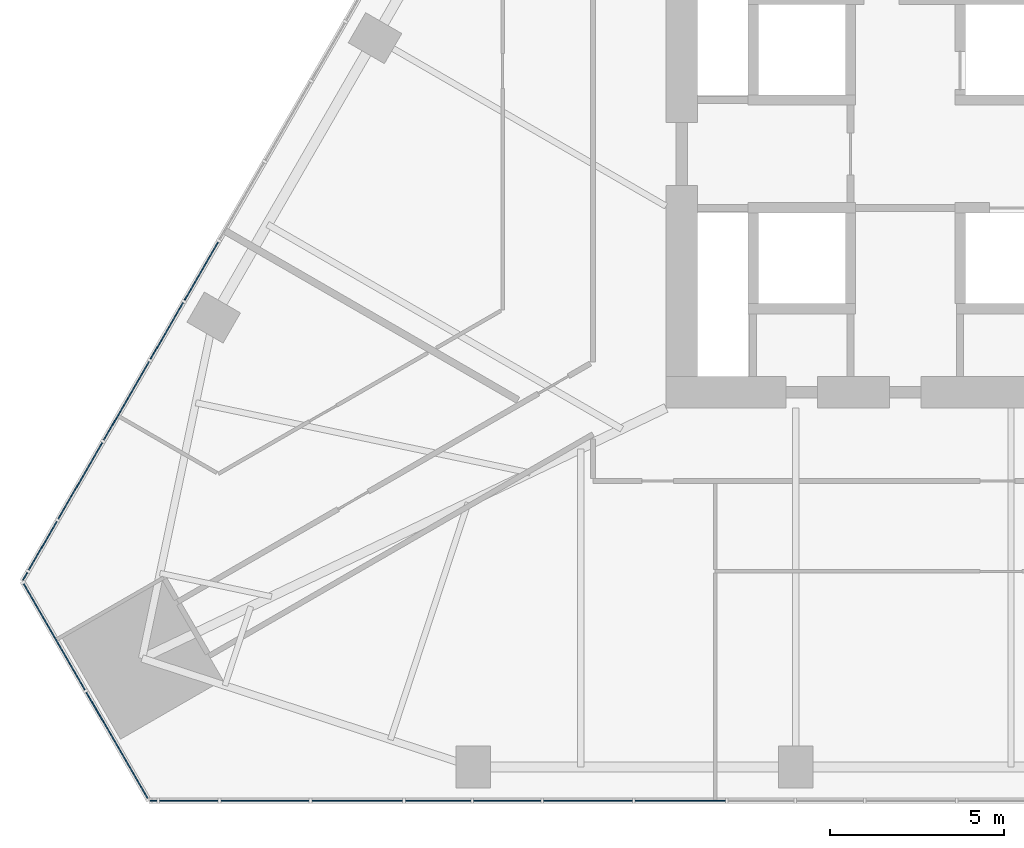
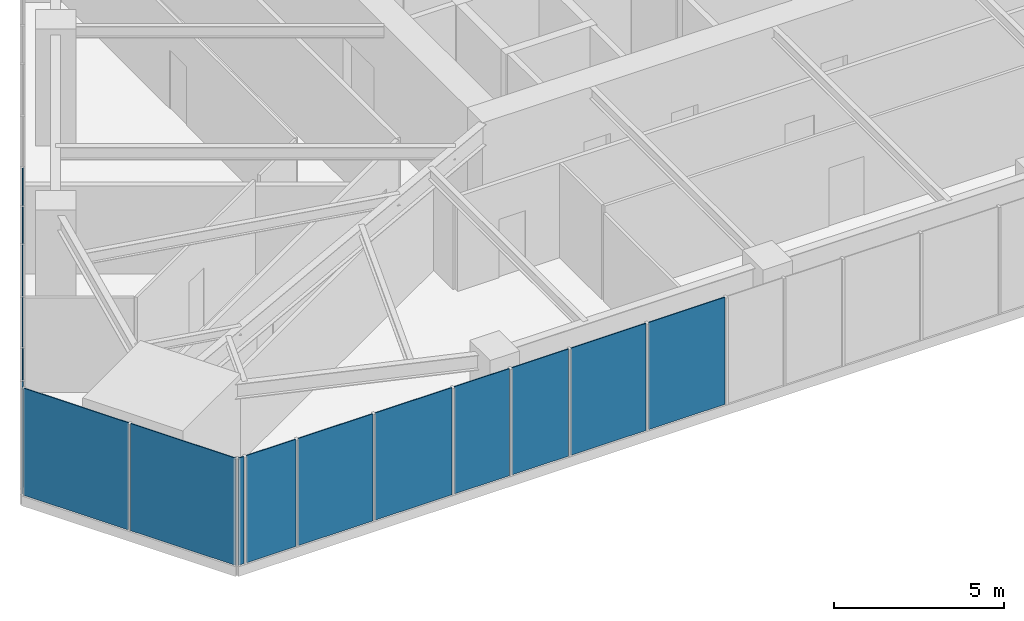
# One storey, part 11 of 22: 16 plates, 3 elements without a shape of their own.
"""IFC4 building model written with IfcOpenShell, lengths in metres."""

from ifc_helpers import new_model, si_unit, direction, frame, origin, place, context, subcontext, project, spatial, polyline, outline, extrude, material, layer, layer_set, type_object, element, aggregate, save


model = new_model("IFC4")

# Units and contexts
model_context = context("Model", 3, precision=1e-05, world=origin(), true_north=direction((0.0, 1.0)))
body_context = subcontext(model_context, "Body", "Model", "MODEL_VIEW")
ifc_project = project(units=[si_unit("LENGTHUNIT", "METRE"), si_unit("AREAUNIT", "SQUARE_METRE"), si_unit("VOLUMEUNIT", "CUBIC_METRE"), si_unit("PLANEANGLEUNIT", "RADIAN"), si_unit("MASSUNIT", "GRAM", prefix="KILO")], contexts=[model_context])

# Site, building, storey
site_placement = place(None, origin())
site = spatial("IfcSite", under=ifc_project, at=site_placement, CompositionType="ELEMENT")
building_placement = place(site_placement, origin())
building = spatial("IfcBuilding", under=site, at=building_placement, Name="Firuza Gate Tower and Library", CompositionType="ELEMENT")
storey_placement = place(building_placement, frame((0.0, 0.0, 132.39990234375)))
storey = spatial("IfcBuildingStorey", under=building, at=storey_placement, Name="L30", CompositionType="ELEMENT", Elevation=132.39990234375)

# Curtain wall, plates
ifc_material_1 = material(Name="Aluminium 6063-T6", Category="aluminium")
ifc_layer_1 = layer(ifc_material_1, 0.14990234375)
ifc_layer_set_1 = layer_set([ifc_layer_1], Name="Corner curtain wall, chamfers")
curtain_wall_type_1 = type_object("IfcCurtainWallType", Name="Corner curtain wall, chamfers", PredefinedType="NOTDEFINED", material=ifc_layer_set_1)
placement = place(storey_placement, origin())
curtain_wall_1 = element("IfcCurtainWall", 1, at=placement, inside=storey, type_object=curtain_wall_type_1, Name="CW4 L30 SW corner", PredefinedType="NOTDEFINED")
ifc_material_2 = material(Name="Fritted glass", Category="glass")
ifc_layer_2 = layer(ifc_material_2, 0.030029296875)
ifc_layer_set_2 = layer_set([ifc_layer_2], Name="Fritted glass unit, corners")
plate_type_1 = type_object("IfcPlateType", Name="Fritted glass unit, corners", PredefinedType="CURTAIN_PANEL", material=ifc_layer_set_2)
plate_1_placement = place(storey_placement, frame((43.503662109375, 60.976318359375, 0.150146484375), z_axis=(-0.866046390552, -0.49996364809, 0.0), x_axis=(0.49996364809, -0.866046390552, 0.0)))
plate_1 = element("IfcPlate", 2, at=plate_1_placement, type_object=plate_type_1, Name="Glass unit", PredefinedType="CURTAIN_PANEL", context=body_context, shape_type="SweptSolid", body=[
    extrude(outline(polyline([(0.0, 0.0), (3.563247342942594, 0.0), (3.563247342942594, 3.849853515625), (0.0, 3.849853515625), (0.0, 0.0)])), origin(), (0.0, 0.0, -1.0), 0.030029296875),
])
plate_2_placement = place(storey_placement, frame((45.3251953125, 57.821044921875, 0.150146484375), z_axis=(-0.866016723041, -0.500015035186, 0.0), x_axis=(0.500015035186, -0.866016723041, 0.0)))
plate_2 = element("IfcPlate", 3, at=plate_2_placement, type_object=plate_type_1, Name="Glass unit", PredefinedType="CURTAIN_PANEL", context=body_context, shape_type="SweptSolid", body=[
    extrude(outline(polyline([(0.0, 0.0), (3.5633694106530625, 0.0), (3.5633694106530625, 3.849853515625), (0.0, 3.849853515625), (0.0, 0.0)])), origin(), (0.0, 0.0, -1.0), 0.030029296875),
])
aggregate(curtain_wall_1, [plate_1, plate_2])

ifc_material_3 = material(Name="Aluminium 6063-T6", Category="aluminium")
ifc_layer_3 = layer(ifc_material_3, 0.14990234375)
ifc_layer_set_3 = layer_set([ifc_layer_3], Name="Unitised curtain wall, offices")
curtain_wall_type_2 = type_object("IfcCurtainWallType", Name="Unitised curtain wall, offices", PredefinedType="NOTDEFINED", material=ifc_layer_set_3)
curtain_wall_2 = element("IfcCurtainWall", 4, at=placement, inside=storey, type_object=curtain_wall_type_2, Name="CW1 L30 S face", PredefinedType="NOTDEFINED")
ifc_material_4 = material(Name="Fritted glass", Category="glass")
ifc_layer_4 = layer(ifc_material_4, 0.030029296875)
ifc_layer_set_4 = layer_set([ifc_layer_4], Name="Fritted glass unit, offices")
plate_type_2 = type_object("IfcPlateType", Name="Fritted glass unit, offices", PredefinedType="CURTAIN_PANEL", material=ifc_layer_set_4)
plate_3_placement = place(storey_placement, frame((47.446044921875, 54.693115234375, 0.150146484375), z_axis=(0.0, -1.0, 0.0), x_axis=(1.0, 0.0, 0.0)))
plate_3 = element("IfcPlate", 5, at=plate_3_placement, type_object=plate_type_2, Name="Glass unit", PredefinedType="CURTAIN_PANEL", context=body_context, shape_type="SweptSolid", body=[
    extrude(outline(polyline([(0.0, 0.0), (1.680908203125, 0.0), (1.680908203125, 3.849853515625), (0.0, 3.849853515625), (0.0, 0.0)])), origin(), (0.0, 0.0, -1.0), 0.030029296875),
])
plate_4_placement = place(storey_placement, frame((54.51171875, 54.693115234375, 0.150146484375), z_axis=(0.0, -1.0, 0.0), x_axis=(1.0, 0.0, 0.0)))
plate_4 = element("IfcPlate", 6, at=plate_4_placement, type_object=plate_type_2, Name="Glass unit", PredefinedType="CURTAIN_PANEL", context=body_context, shape_type="SweptSolid", body=[
    extrude(outline(polyline([(0.0, 0.0), (1.874755859375, 0.0), (1.874755859375, 3.849853515625), (0.0, 3.849853515625), (0.0, 0.0)])), origin(), (0.0, 0.0, -1.0), 0.030029296875),
])
plate_5_placement = place(storey_placement, frame((56.466552734375, 54.693115234375, 0.150146484375), z_axis=(0.0, -1.0, 0.0), x_axis=(1.0, 0.0, 0.0)))
plate_5 = element("IfcPlate", 7, at=plate_5_placement, type_object=plate_type_2, Name="Glass unit", PredefinedType="CURTAIN_PANEL", context=body_context, shape_type="SweptSolid", body=[
    extrude(outline(polyline([(0.0, 0.0), (1.9326171875, 0.0), (1.9326171875, 3.849853515625), (0.0, 3.849853515625), (0.0, 0.0)])), origin(), (0.0, 0.0, -1.0), 0.030029296875),
])

curtain_wall_3 = element("IfcCurtainWall", 8, at=placement, inside=storey, type_object=curtain_wall_type_2, Name="CW1 L30 W face", PredefinedType="NOTDEFINED")
plate_6_placement = place(storey_placement, frame((49.11328125, 70.776611328125, 0.150146484375), z_axis=(-0.866010966864, 0.500025004646, 0.0), x_axis=(-0.500025004646, -0.866010966864, 0.0)))
plate_6 = element("IfcPlate", 9, at=plate_6_placement, type_object=plate_type_2, Name="Glass unit", PredefinedType="CURTAIN_PANEL", context=body_context, shape_type="SweptSolid", body=[
    extrude(outline(polyline([(0.0, 0.0), (1.9325205435160588, 0.0), (1.9325205435160588, 3.849853515625001), (0.0, 3.849853515625001), (0.0, 0.0)])), origin(), (0.0, 0.0, -1.0), 0.030029296875),
])
plate_7_placement = place(storey_placement, frame((48.10693359375, 69.03369140625, 0.150146484375), z_axis=(-0.86599040064, 0.500060622324, 0.0), x_axis=(-0.500060622324, -0.86599040064, 0.0)))
plate_7 = element("IfcPlate", 10, at=plate_7_placement, type_object=plate_type_2, Name="Glass unit", PredefinedType="CURTAIN_PANEL", context=body_context, shape_type="SweptSolid", body=[
    extrude(outline(polyline([(0.0, 0.0), (1.8747726938430993, 0.0), (1.8747726938430993, 3.849853515625), (0.0, 3.849853515625), (0.0, 0.0)])), origin(), (0.0, 0.0, -1.0), 0.030029296875),
])
plate_8_placement = place(storey_placement, frame((44.47705078125, 62.74658203125, 0.150146484375), z_axis=(-0.866011950054, 0.50002330182, 0.0), x_axis=(-0.50002330182, -0.866011950054, 0.0)))
plate_8 = element("IfcPlate", 11, at=plate_8_placement, type_object=plate_type_2, Name="Glass unit", PredefinedType="CURTAIN_PANEL", context=body_context, shape_type="SweptSolid", body=[
    extrude(outline(polyline([(0.0, 0.0), (1.6156473612021847, 0.0), (1.6156473612021847, 3.849853515625), (0.0, 3.849853515625), (0.0, 0.0)])), origin(), (0.0, 0.0, -1.0), 0.030029296875),
])

# Plate
ifc_material_5 = material(Name="Glazed ceramic tile")
ifc_layer_5 = layer(ifc_material_5, 0.030029296875)
ifc_layer_set_5 = layer_set([ifc_layer_5], Name="Opaque ceramic panel, offices")
plate_type_3 = type_object("IfcPlateType", Name="Opaque ceramic panel, offices", PredefinedType="CURTAIN_PANEL", material=ifc_layer_set_5)
plate_9_placement = place(storey_placement, frame((47.179931640625, 54.693115234375, 0.150146484375), z_axis=(0.0, -1.0, 0.0), x_axis=(1.0, 0.0, 0.0)))
plate_9 = element("IfcPlate", 12, at=plate_9_placement, type_object=plate_type_3, Name="Opaque ceramic panel", PredefinedType="CURTAIN_PANEL", context=body_context, shape_type="SweptSolid", body=[
    extrude(outline(polyline([(0.0, 0.0), (0.18603515625, 0.0), (0.18603515625, 3.849853515625), (0.0, 3.849853515625), (0.0, 0.0)])), origin(), (0.0, 0.0, -1.0), 0.030029296875),
])

plate_10_placement = place(storey_placement, frame((49.206787109375, 54.693115234375, 0.150146484375), z_axis=(0.0, -1.0, 0.0), x_axis=(1.0, 0.0, 0.0)))
plate_10 = element("IfcPlate", 13, at=plate_10_placement, type_object=plate_type_3, Name="Opaque ceramic panel", PredefinedType="CURTAIN_PANEL", context=body_context, shape_type="SweptSolid", body=[
    extrude(outline(polyline([(0.0, 0.0), (2.536376953125, 0.0), (2.536376953125, 3.849853515625), (0.0, 3.849853515625), (0.0, 0.0)])), origin(), (0.0, 0.0, -1.0), 0.030029296875),
])

plate_11_placement = place(storey_placement, frame((51.8232421875, 54.693115234375, 0.150146484375), z_axis=(0.0, -1.0, 0.0), x_axis=(1.0, 0.0, 0.0)))
plate_11 = element("IfcPlate", 14, at=plate_11_placement, type_object=plate_type_3, Name="Opaque ceramic panel", PredefinedType="CURTAIN_PANEL", context=body_context, shape_type="SweptSolid", body=[
    extrude(outline(polyline([(0.0, 0.0), (2.6083984375, 0.0), (2.6083984375, 3.849853515625), (0.0, 3.849853515625), (0.0, 0.0)])), origin(), (0.0, 0.0, -1.0), 0.030029296875),
])

plate_12_placement = place(storey_placement, frame((58.47900390625, 54.693115234375, 0.150146484375), z_axis=(0.0, -1.0, 0.0), x_axis=(1.0, 0.0, 0.0)))
plate_12 = element("IfcPlate", 15, at=plate_12_placement, type_object=plate_type_3, Name="Opaque ceramic panel", PredefinedType="CURTAIN_PANEL", context=body_context, shape_type="SweptSolid", body=[
    extrude(outline(polyline([(0.0, 0.0), (2.551025390625, 0.0), (2.551025390625, 3.849853515625), (0.0, 3.849853515625), (0.0, 0.0)])), origin(), (0.0, 0.0, -1.0), 0.030029296875),
])

plate_13_placement = place(storey_placement, frame((61.10986328125, 54.693115234375, 0.150146484375), z_axis=(0.0, -1.0, 0.0), x_axis=(1.0, 0.0, 0.0)))
plate_13 = element("IfcPlate", 16, at=plate_13_placement, type_object=plate_type_3, Name="Opaque ceramic panel", PredefinedType="CURTAIN_PANEL", context=body_context, shape_type="SweptSolid", body=[
    extrude(outline(polyline([(0.0, 0.0), (2.59423828125, 0.0), (2.59423828125, 3.849853515625), (0.0, 3.849853515625), (0.0, 0.0)])), origin(), (0.0, 0.0, -1.0), 0.030029296875),
])

aggregate(curtain_wall_2, [plate_9, plate_3, plate_10, plate_11, plate_4, plate_5, plate_12, plate_13])

plate_14_placement = place(storey_placement, frame((47.12939453125, 67.3408203125, 0.150146484375), z_axis=(-0.866034402474, 0.499984413489, 0.0), x_axis=(-0.499984413489, -0.866034402474, 0.0)))
plate_14 = element("IfcPlate", 17, at=plate_14_placement, type_object=plate_type_3, Name="Opaque ceramic panel", PredefinedType="CURTAIN_PANEL", context=body_context, shape_type="SweptSolid", body=[
    extrude(outline(polyline([(0.0, 0.0), (2.6084797516962457, 0.0), (2.6084797516962457, 3.849853515625), (0.0, 3.849853515625), (0.0, 0.0)])), origin(), (0.0, 0.0, -1.0), 0.030029296875),
])

plate_15_placement = place(storey_placement, frame((45.78515625, 65.012451171875, 0.150146484375), z_axis=(-0.866042924943, 0.499969651234, 0.0), x_axis=(-0.499969651234, -0.866042924943, 0.0)))
plate_15 = element("IfcPlate", 18, at=plate_15_placement, type_object=plate_type_3, Name="Opaque ceramic panel", PredefinedType="CURTAIN_PANEL", context=body_context, shape_type="SweptSolid", body=[
    extrude(outline(polyline([(0.0, 0.0), (2.536286758844583, 0.0), (2.536286758844583, 3.849853515625), (0.0, 3.849853515625), (0.0, 0.0)])), origin(), (0.0, 0.0, -1.0), 0.030029296875),
])

plate_16_placement = place(storey_placement, frame((43.629150390625, 61.278076171875, 0.150146484375), z_axis=(-0.866201770413, 0.499694399542, 0.0), x_axis=(-0.499694399542, -0.866201770413, 0.0)))
plate_16 = element("IfcPlate", 19, at=plate_16_placement, type_object=plate_type_3, Name="Opaque ceramic panel", PredefinedType="CURTAIN_PANEL", context=body_context, shape_type="SweptSolid", body=[
    extrude(outline(polyline([(0.0, 0.0), (0.25113005341856437, 0.0), (0.25113005341856437, 3.849853515625), (0.0, 3.849853515625), (0.0, 0.0)])), origin(), (0.0, 0.0, -1.0), 0.030029296875),
])

aggregate(curtain_wall_3, [plate_6, plate_7, plate_14, plate_15, plate_8, plate_16])

save(model, "model.ifc")
